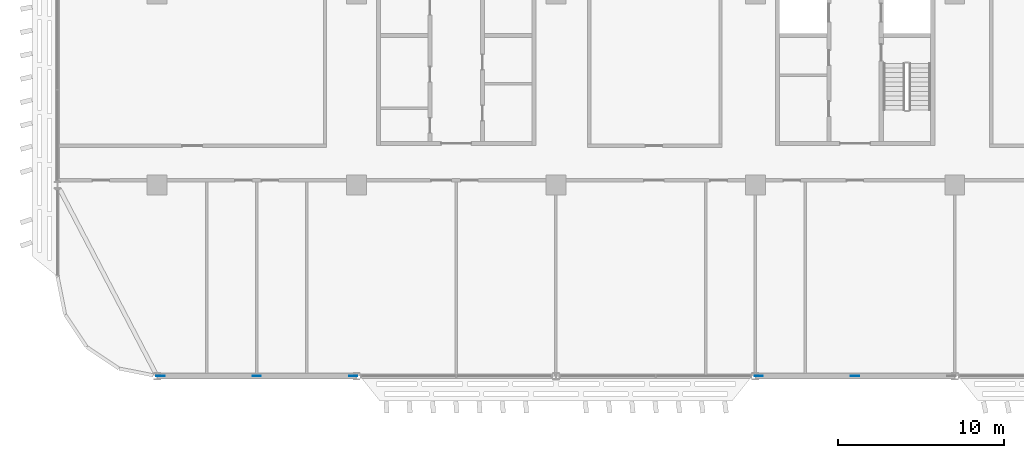
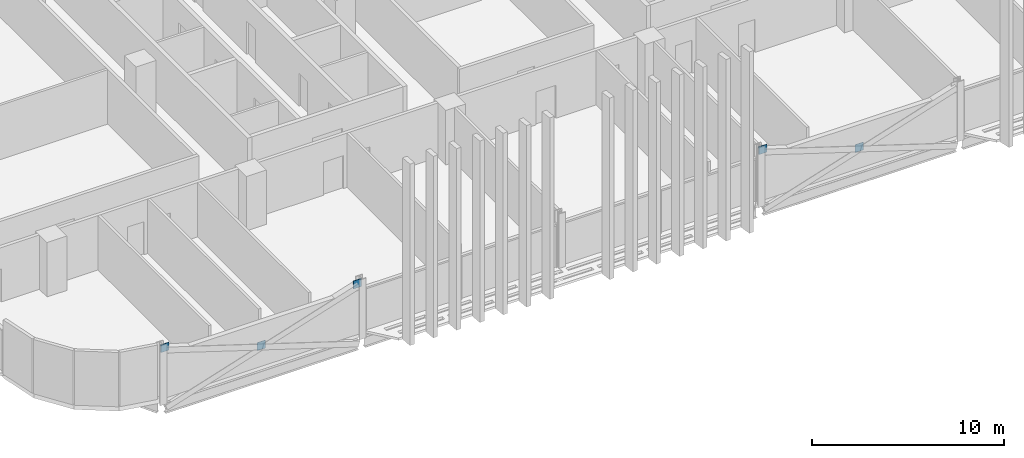
# One storey, part 18 of 28: 5 discrete accessories.
"""IFC4 building model written with IfcOpenShell, lengths in metres."""

from ifc_helpers import new_model, si_unit, direction, frame, origin, origin_2d, place, context, subcontext, project, spatial, rectangle, extrude, material, layer, layer_set, type_object, element, save


model = new_model("IFC4")

# Units and contexts
model_context = context("Model", 3, precision=1e-05, world=origin(), true_north=direction((0.0, 1.0)))
body_context = subcontext(model_context, "Body", "Model", "MODEL_VIEW")
ifc_project = project(units=[si_unit("LENGTHUNIT", "METRE"), si_unit("AREAUNIT", "SQUARE_METRE"), si_unit("VOLUMEUNIT", "CUBIC_METRE"), si_unit("PLANEANGLEUNIT", "RADIAN"), si_unit("MASSUNIT", "GRAM", prefix="KILO")], contexts=[model_context])

# Site, building, storey
site_placement = place(None, origin())
site = spatial("IfcSite", under=ifc_project, at=site_placement, CompositionType="ELEMENT")
building_placement = place(site_placement, origin())
building = spatial("IfcBuilding", under=site, at=building_placement, Name="Mahtab Terrace Research Tower", CompositionType="ELEMENT")
storey_placement = place(building_placement, frame((0.0, 0.0, 174.39990234375)))
storey = spatial("IfcBuildingStorey", under=building, at=storey_placement, Name="L41", CompositionType="ELEMENT", Elevation=174.39990234375)

# Discrete accessories
ifc_material = material(Name="Steel ASTM A992 Gr 50", Category="steel")
ifc_layer = layer(ifc_material, 0.030029296875)
ifc_layer_set = layer_set([ifc_layer], Name="Gusset plate 500x500x30")
discrete_accessory_type = type_object("IfcDiscreteAccessoryType", Name="Gusset plate 500x500x30", PredefinedType="USERDEFINED", material=ifc_layer_set)
for number, where, z_axis, x_axis, name in (
    (1, (-41.796875, -23.0, 2.87109375), (0.0, 0.0, 1.0), (1.0, 0.0, 0.0), "Gusset plate"),
    (2, (-36.0, -23.0, 0.970947265625), (0.0, 0.0, 1.0), (1.0, 0.0, 0.0), "Gusset plate"),
    (3, (-30.203125, -23.0, 2.87109375), (0.0, 0.0, 1.0), (1.0, 0.0, 0.0), "Gusset plate"),
    (4, (-5.796875, -23.0, 2.87109375), (0.0, 0.0, 1.0), (1.0, 0.0, 0.0), "Gusset plate"),
    (5, (0.0, -23.0, 0.970947265625), (0.0, 0.0, 1.0), (1.0, 0.0, 0.0), "Gusset plate"),
):
    element("IfcDiscreteAccessory", number, at=place(storey_placement, frame(where, z_axis=z_axis, x_axis=x_axis)), inside=storey, type_object=discrete_accessory_type, Name=name, ObjectType="GUSSET PLATE", PredefinedType="USERDEFINED", context=body_context, shape_type="SweptSolid", body=[
        extrude(rectangle(XDim=0.5, YDim=0.030029296875, at=origin_2d()), origin(), (0.0, 0.0, 1.0), 0.5),
    ])

save(model, "model.ifc")
